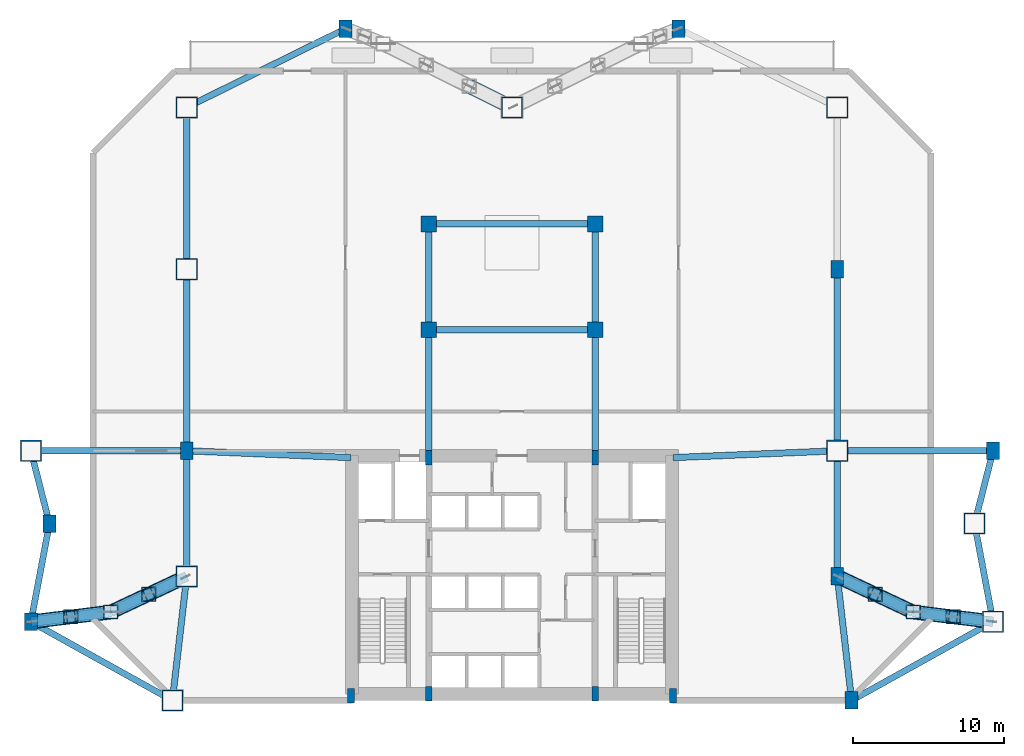
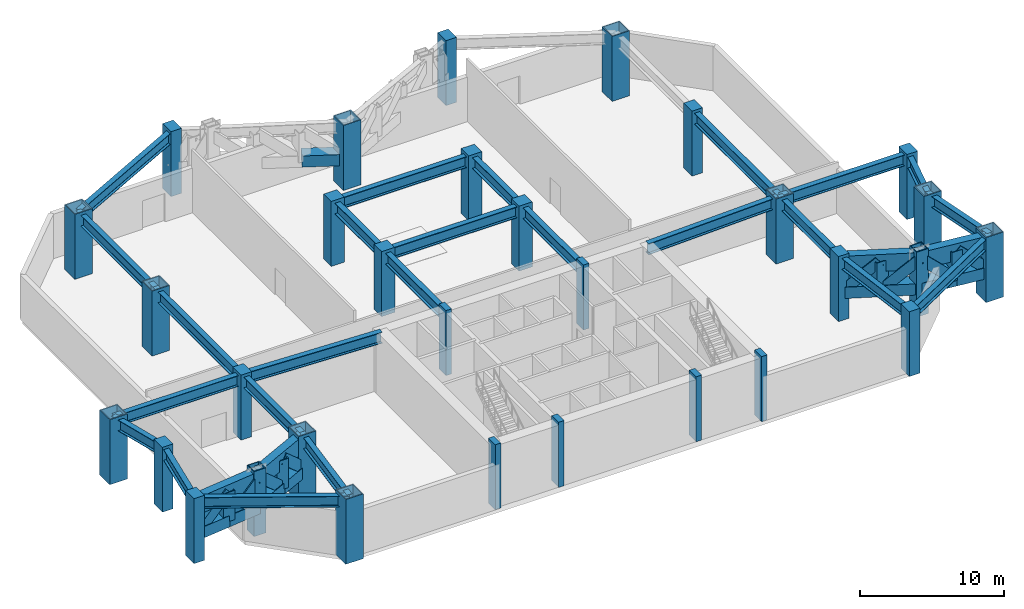
# One storey, part 1 of 9: 29 columns, 28 beams, 23 members.
"""IFC4 building model written with IfcOpenShell, lengths in metres."""

from ifc_helpers import new_model, si_unit, direction, frame, origin, origin_2d, place, context, subcontext, project, spatial, rectangle, hollow_rectangle, i_section, extrude, source, transform, mapped, material, material_profile, profile_set, type_object, type_shapes, element, save


model = new_model("IFC4")

# Units and contexts
model_context = context("Model", 3, precision=1e-05, world=origin(), true_north=direction((0.0, 1.0)))
body_context = subcontext(model_context, "Body", "Model", "MODEL_VIEW")
ifc_project = project(units=[si_unit("LENGTHUNIT", "METRE"), si_unit("AREAUNIT", "SQUARE_METRE"), si_unit("VOLUMEUNIT", "CUBIC_METRE"), si_unit("PLANEANGLEUNIT", "RADIAN"), si_unit("MASSUNIT", "GRAM", prefix="KILO")], contexts=[model_context])

# Site, building, storey
site_placement = place(None, origin())
site = spatial("IfcSite", under=ifc_project, at=site_placement, CompositionType="ELEMENT")
building_placement = place(site_placement, origin())
building = spatial("IfcBuilding", under=site, at=building_placement, Name="Varnakhor Terracotta Tower", CompositionType="ELEMENT")
storey_placement = place(building_placement, frame((0.0, 0.0, 22.0)))
storey = spatial("IfcBuildingStorey", under=building, at=storey_placement, Name="L04", CompositionType="ELEMENT", Elevation=22.0)

# Columns
ifc_material_1 = material(Name="Concrete C50/60", Category="concrete")
ifc_material_profile_1 = material_profile(ifc_material_1, rectangle(XDim=0.449951171875, YDim=0.949951171875, at=origin_2d()), Name="RC PILASTER 950x450")
ifc_profile_set_1 = profile_set([ifc_material_profile_1], Name="Concrete C50/60")
column_type_1 = type_object("IfcColumnType", Name="COL-PIL-950x450", PredefinedType="PILASTER", material=ifc_profile_set_1)
shared_shape_1 = source(origin(), body_context, "Body", "SweptSolid", [
    extrude(rectangle(XDim=0.449951171875, YDim=0.949951171875, at=origin_2d()), origin(), (0.0, 0.0, 1.0), 5.5),
])
for number, where, z_axis, x_axis, name in (
    (1, (-10.64990234375, 0.300048828125, 0.0), (0.0, 0.0, 1.0), (1.0, 0.0, 0.0), "L04 Core Pilaster CP1"),
    (2, (-5.5, 0.449951171875, 0.0), (0.0, 0.0, 1.0), (1.0, 0.0, 0.0), "L04 Core Pilaster CP2"),
    (3, (5.5, 0.449951171875, 0.0), (0.0, 0.0, 1.0), (1.0, 0.0, 0.0), "L04 Core Pilaster CP3"),
    (4, (10.64990234375, 0.300048828125, 0.0), (0.0, 0.0, 1.0), (1.0, 0.0, 0.0), "L04 Core Pilaster CP4"),
    (5, (-5.5, 16.050048828125, 0.0), (0.0, 0.0, 1.0), (1.0, 0.0, 0.0), "L04 Core Pilaster CP5"),
    (6, (5.5, 16.050048828125, 0.0), (0.0, 0.0, 1.0), (1.0, 0.0, 0.0), "L04 Core Pilaster CP6"),
):
    element("IfcColumn", number, at=place(storey_placement, frame(where, z_axis=z_axis, x_axis=x_axis)), inside=storey, type_object=column_type_1, Name=name, PredefinedType="PILASTER", context=body_context, shape_type="MappedRepresentation", body=[
        mapped(shared_shape_1, transform((0.0, 0.0, 0.0), scale=1.0)),
    ])
ifc_material_2 = material(Name="Concrete C60/75", Category="concrete")
ifc_material_profile_2 = material_profile(ifc_material_2, rectangle(XDim=1.050048828125, YDim=1.050048828125, at=origin_2d()), Name="RC 1050x1050")
ifc_profile_set_2 = profile_set([ifc_material_profile_2], Name="Concrete C60/75")
column_type_2 = type_object("IfcColumnType", Name="COL-RC-1050", PredefinedType="COLUMN", material=ifc_profile_set_2)
shared_shape_2 = source(origin(), body_context, "Body", "SweptSolid", [
    extrude(rectangle(XDim=1.050048828125, YDim=1.050048828125, at=origin_2d()), origin(), (0.0, 0.0, 1.0), 5.5),
])
type_shapes(column_type_2, [shared_shape_2])
for number, where, z_axis, x_axis, name in (
    (7, (-5.5, 24.5, 0.0), (0.0, 0.0, 1.0), (1.0, 0.0, 0.0), "L04 Interior Plumb Tower Column I1"),
    (8, (5.5, 24.5, 0.0), (0.0, 0.0, 1.0), (1.0, 0.0, 0.0), "L04 Interior Plumb Tower Column I2"),
    (9, (-5.5, 31.5, 0.0), (0.0, 0.0, 1.0), (1.0, 0.0, 0.0), "L04 Interior Plumb Tower Column I3"),
    (10, (5.5, 31.5, 0.0), (0.0, 0.0, 1.0), (1.0, 0.0, 0.0), "L04 Interior Plumb Tower Column I4"),
):
    element("IfcColumn", number, at=place(storey_placement, frame(where, z_axis=z_axis, x_axis=x_axis)), inside=storey, type_object=column_type_2, Name=name, PredefinedType="COLUMN", context=body_context, shape_type="MappedRepresentation", body=[
        mapped(shared_shape_2, transform((0.0, 0.0, 0.0), scale=1.0)),
    ])
ifc_material_3 = material(Name="Steel S460", Category="steel")
ifc_material_profile_3 = material_profile(ifc_material_3, hollow_rectangle(XDim=1.39990234375, YDim=1.39990234375, WallThickness=0.070068359375, at=origin_2d()), Name="BOX 1400x1400x70")
ifc_profile_set_3 = profile_set([ifc_material_profile_3], Name="Steel S460")
column_type_3 = type_object("IfcColumnType", Name="COL-MEGA-1400", PredefinedType="COLUMN", material=ifc_profile_set_3)
shared_shape_3 = source(origin(), body_context, "Body", "SweptSolid", [
    extrude(hollow_rectangle(XDim=1.39990234375, YDim=1.39990234375, WallThickness=0.070068359375, at=origin_2d()), origin(), (0.0, 0.0, 1.0), 5.5),
])
for number, where, z_axis, x_axis, name in (
    (11, (-21.5, 8.199951171875, 0.0), (0.0, 0.0, 1.0), (1.0, 0.0, 0.0), "L04 Podium Column PC03"),
    (12, (-31.800048828125, 16.5, 0.0), (0.0, 0.0, 1.0), (1.0, 0.0, 0.0), "L04 Podium Column PC05"),
    (13, (-21.5, 28.5, 0.0), (0.0, 0.0, 1.0), (1.0, 0.0, 0.0), "L04 Podium Column PC07"),
    (14, (-21.5, 39.199951171875, 0.0), (0.0, 0.0, 1.0), (1.0, 0.0, 0.0), "L04 Podium Column PC09"),
    (15, (0.0, 39.199951171875, 0.0), (0.0, 0.0, 1.0), (1.0, 0.0, 0.0), "L04 Podium Column PC11"),
    (16, (21.5, 39.199951171875, 0.0), (0.0, 0.0, 1.0), (1.0, 0.0, 0.0), "L04 Podium Column PC13"),
    (17, (21.5, 16.5, 0.0), (0.0, 0.0, 1.0), (1.0, 0.0, 0.0), "L04 Podium Column PC15"),
    (18, (31.800048828125, 5.199951171875, 0.0), (0.0, 0.0, 1.0), (1.0, 0.0, 0.0), "L04 Podium Column PC17"),
):
    element("IfcColumn", number, at=place(storey_placement, frame(where, z_axis=z_axis, x_axis=x_axis)), inside=storey, type_object=column_type_3, Name=name, PredefinedType="COLUMN", context=body_context, shape_type="MappedRepresentation", body=[
        mapped(shared_shape_3, transform((0.0, 0.0, 0.0), scale=1.0)),
    ])
ifc_material_profile_4 = material_profile(ifc_material_2, rectangle(XDim=0.85009765625, YDim=1.14990234375, at=origin_2d()), Name="RC 1150x850")
ifc_profile_set_4 = profile_set([ifc_material_profile_4], Name="Concrete C60/75")
column_type_4 = type_object("IfcColumnType", Name="COL-RC-1150x850", PredefinedType="COLUMN", material=ifc_profile_set_4)
shared_shape_4 = source(origin(), body_context, "Body", "SweptSolid", [
    extrude(rectangle(XDim=0.85009765625, YDim=1.14990234375, at=origin_2d()), origin(), (0.0, 0.0, 1.0), 5.5),
])
for number, where, z_axis, x_axis, name in (
    (19, (21.5, 8.199951171875, 0.0), (0.0, 0.0, 1.0), (1.0, 0.0, 0.0), "L04 Podium Column PC04"),
    (20, (31.800048828125, 16.5, 0.0), (0.0, 0.0, 1.0), (1.0, 0.0, 0.0), "L04 Podium Column PC06"),
    (21, (21.5, 28.5, 0.0), (0.0, 0.0, 1.0), (1.0, 0.0, 0.0), "L04 Podium Column PC08"),
    (22, (-11.0, 44.39990234375, 0.0), (0.0, 0.0, 1.0), (1.0, 0.0, 0.0), "L04 Podium Column PC10"),
    (23, (11.0, 44.39990234375, 0.0), (0.0, 0.0, 1.0), (1.0, 0.0, 0.0), "L04 Podium Column PC12"),
    (24, (-21.5, 16.5, 0.0), (0.0, 0.0, 1.0), (1.0, 0.0, 0.0), "L04 Podium Column PC14"),
    (25, (-31.800048828125, 5.199951171875, 0.0), (0.0, 0.0, 1.0), (1.0, 0.0, 0.0), "L04 Podium Column PC16"),
):
    element("IfcColumn", number, at=place(storey_placement, frame(where, z_axis=z_axis, x_axis=x_axis)), inside=storey, type_object=column_type_4, Name=name, PredefinedType="COLUMN", context=body_context, shape_type="MappedRepresentation", body=[
        mapped(shared_shape_4, transform((0.0, 0.0, 0.0), scale=1.0)),
    ])
shared_shape_5 = source(origin(), body_context, "Body", "SweptSolid", [
    extrude(hollow_rectangle(XDim=1.39990234375, YDim=1.39990234375, WallThickness=0.070068359375, at=origin_2d()), origin(), (0.0, 0.0, 1.0), 5.47607421875),
])
for number, where, z_axis, x_axis, name in (
    (26, (-22.446044921875, 0.0, 0.0), (0.0, 0.0, 1.0), (1.0, 0.0, 0.0), "L04 Podium Column PC01"),
    (27, (30.572998046875, 11.68701171875, 0.0), (0.0, 0.0, 1.0), (1.0, 0.0, 0.0), "L04 Podium Column PC23"),
):
    element("IfcColumn", number, at=place(storey_placement, frame(where, z_axis=z_axis, x_axis=x_axis)), inside=storey, type_object=column_type_3, Name=name, PredefinedType="COLUMN", context=body_context, shape_type="MappedRepresentation", body=[
        mapped(shared_shape_5, transform((0.0, 0.0, 0.0), scale=1.0)),
    ])
shared_shape_6 = source(origin(), body_context, "Body", "SweptSolid", [
    extrude(rectangle(XDim=0.85009765625, YDim=1.14990234375, at=origin_2d()), origin(), (0.0, 0.0, 1.0), 5.47607421875),
])
for number, where, z_axis, x_axis, name in (
    (28, (22.446044921875, 0.0, 0.0), (0.0, 0.0, 1.0), (1.0, 0.0, 0.0), "L04 Podium Column PC02"),
    (29, (-30.572998046875, 11.68701171875, 0.0), (0.0, 0.0, 1.0), (1.0, 0.0, 0.0), "L04 Podium Column PC22"),
):
    element("IfcColumn", number, at=place(storey_placement, frame(where, z_axis=z_axis, x_axis=x_axis)), inside=storey, type_object=column_type_4, Name=name, PredefinedType="COLUMN", context=body_context, shape_type="MappedRepresentation", body=[
        mapped(shared_shape_6, transform((0.0, 0.0, 0.0), scale=1.0)),
    ])

# Beams
ifc_material_4 = material(Name="Steel S355", Category="steel")
ifc_material_profile_5 = material_profile(ifc_material_4, i_section(OverallWidth=0.41796875, OverallDepth=0.927001953125, WebThickness=0.01904296875, FlangeThickness=0.031982421875, FilletRadius=0.01806640625, at=origin_2d()), Name="W36X231")
ifc_profile_set_5 = profile_set([ifc_material_profile_5], Name="Steel S355")
beam_type_1 = type_object("IfcBeamType", Name="BM-W36X231", PredefinedType="BEAM", material=ifc_profile_set_5)
shared_shape_7 = source(origin(), body_context, "Body", "SweptSolid", [
    extrude(i_section(OverallWidth=0.41796875, OverallDepth=0.927001953125, WebThickness=0.01904296875, FlangeThickness=0.031982421875, FilletRadius=0.01806640625, at=origin_2d()), origin(), (0.0, 0.0, 1.0), 8.25439453125),
])
type_shapes(beam_type_1, [shared_shape_7])
for number, where, z_axis, x_axis, name in (
    (30, (-22.446044921875, 0.0, 4.78662109375), (0.114611758944, 0.993410360683, 0.0), (-0.993410360683, 0.114611758944, 0.0), "L04 Podium Ring Girder 1"),
    (31, (21.5, 8.199951171875, 4.78662109375), (0.114611758944, -0.993410360683, 0.0), (0.993410360683, 0.114611758944, 0.0), "L04 Podium Ring Girder 12"),
):
    element("IfcBeam", number, at=place(storey_placement, frame(where, z_axis=z_axis, x_axis=x_axis)), inside=storey, type_object=beam_type_1, Name=name, PredefinedType="BEAM", context=body_context, shape_type="MappedRepresentation", body=[
        mapped(shared_shape_7, transform((0.0, 0.0, 0.0), scale=1.0)),
    ])
shared_shape_8 = source(origin(), body_context, "Body", "SweptSolid", [
    extrude(i_section(OverallWidth=0.41796875, OverallDepth=0.927001953125, WebThickness=0.01904296875, FlangeThickness=0.031982421875, FilletRadius=0.01806640625, at=origin_2d()), origin(), (0.0, 0.0, 1.0), 8.300048828125),
])
for number, where, z_axis, x_axis, name in (
    (32, (-21.5, 8.199951171875, 4.78662109375), (0.0, 1.0, 0.0), (-1.0, 0.0, 0.0), "L04 Podium Ring Girder 2"),
    (33, (21.5, 16.5, 4.78662109375), (0.0, -1.0, 0.0), (1.0, 0.0, 0.0), "L04 Podium Ring Girder 11"),
):
    element("IfcBeam", number, at=place(storey_placement, frame(where, z_axis=z_axis, x_axis=x_axis)), inside=storey, type_object=beam_type_1, Name=name, PredefinedType="BEAM", context=body_context, shape_type="MappedRepresentation", body=[
        mapped(shared_shape_8, transform((0.0, 0.0, 0.0), scale=1.0)),
    ])
shared_shape_9 = source(origin(), body_context, "Body", "SweptSolid", [
    extrude(i_section(OverallWidth=0.41796875, OverallDepth=0.927001953125, WebThickness=0.01904296875, FlangeThickness=0.031982421875, FilletRadius=0.01806640625, at=origin_2d()), origin(), (0.0, 0.0, 1.0), 12.0),
])
for number, where, z_axis, x_axis, name in (
    (34, (-21.5, 16.5, 4.78662109375), (0.0, 1.0, 0.0), (-1.0, 0.0, 0.0), "L04 Podium Ring Girder 3"),
    (35, (21.5, 28.5, 4.78662109375), (0.0, -1.0, 0.0), (1.0, 0.0, 0.0), "L04 Podium Ring Girder 10"),
):
    element("IfcBeam", number, at=place(storey_placement, frame(where, z_axis=z_axis, x_axis=x_axis)), inside=storey, type_object=beam_type_1, Name=name, PredefinedType="BEAM", context=body_context, shape_type="MappedRepresentation", body=[
        mapped(shared_shape_9, transform((0.0, 0.0, 0.0), scale=1.0)),
    ])
shared_shape_10 = source(origin(), body_context, "Body", "SweptSolid", [
    extrude(i_section(OverallWidth=0.41796875, OverallDepth=0.927001953125, WebThickness=0.01904296875, FlangeThickness=0.031982421875, FilletRadius=0.01806640625, at=origin_2d()), origin(), (0.0, 0.0, 1.0), 10.699951171875),
])
beam_1_placement = place(storey_placement, frame((-21.5, 28.5, 4.78662109375), z_axis=(0.0, 1.0, 0.0), x_axis=(-1.0, 0.0, 0.0)))
element("IfcBeam", 36, at=beam_1_placement, inside=storey, type_object=beam_type_1, Name="L04 Podium Ring Girder 4", PredefinedType="BEAM", context=body_context, shape_type="MappedRepresentation", body=[
    mapped(shared_shape_10, transform((0.0, 0.0, 0.0), scale=1.0)),
])
shared_shape_11 = source(origin(), body_context, "Body", "SweptSolid", [
    extrude(i_section(OverallWidth=0.41796875, OverallDepth=0.927001953125, WebThickness=0.01904296875, FlangeThickness=0.031982421875, FilletRadius=0.01806640625, at=origin_2d()), origin(), (0.0, 0.0, 1.0), 10.7021484375),
])
for number, where, z_axis, x_axis, name in (
    (37, (-22.446044921875, 0.0, 4.78662109375), (-0.874027042936, 0.485877276909, 0.0), (-0.485877276909, -0.874027042936, 0.0), "L04 Podium Wing Girder OW1"),
    (38, (22.446044921875, 0.0, 4.78662109375), (0.874027042936, 0.485877276909, 0.0), (-0.485877276909, 0.874027042936, 0.0), "L04 Podium Wing Girder OE1"),
):
    element("IfcBeam", number, at=place(storey_placement, frame(where, z_axis=z_axis, x_axis=x_axis)), inside=storey, type_object=beam_type_1, Name=name, PredefinedType="BEAM", context=body_context, shape_type="MappedRepresentation", body=[
        mapped(shared_shape_11, transform((0.0, 0.0, 0.0), scale=1.0)),
    ])
shared_shape_12 = source(origin(), body_context, "Body", "SweptSolid", [
    extrude(i_section(OverallWidth=0.41796875, OverallDepth=0.927001953125, WebThickness=0.01904296875, FlangeThickness=0.031982421875, FilletRadius=0.01806640625, at=origin_2d()), origin(), (0.0, 0.0, 1.0), 6.60205078125),
])
for number, where, z_axis, x_axis, name in (
    (39, (-31.800048828125, 5.199951171875, 4.78662109375), (0.185857896361, 0.982576634345, 0.0), (-0.982576634345, 0.185857896361, 0.0), "L04 Podium Wing Girder OW2A"),
    (40, (31.800048828125, 5.199951171875, 4.78662109375), (-0.185857896361, 0.982576634345, 0.0), (-0.982576634345, -0.185857896361, 0.0), "L04 Podium Wing Girder OE2A"),
):
    element("IfcBeam", number, at=place(storey_placement, frame(where, z_axis=z_axis, x_axis=x_axis)), inside=storey, type_object=beam_type_1, Name=name, PredefinedType="BEAM", context=body_context, shape_type="MappedRepresentation", body=[
        mapped(shared_shape_12, transform((0.0, 0.0, 0.0), scale=1.0)),
    ])
shared_shape_13 = source(origin(), body_context, "Body", "SweptSolid", [
    extrude(i_section(OverallWidth=0.41796875, OverallDepth=0.927001953125, WebThickness=0.01904296875, FlangeThickness=0.031982421875, FilletRadius=0.01806640625, at=origin_2d()), origin(), (0.0, 0.0, 1.0), 4.967041015625),
])
for number, where, z_axis, x_axis, name in (
    (41, (-30.572998046875, 11.68701171875, 4.78662109375), (-0.247043524216, 0.969004384481, 0.0), (-0.969004384481, -0.247043524216, 0.0), "L04 Podium Wing Girder OW2B"),
    (42, (30.572998046875, 11.68701171875, 4.78662109375), (0.247043524216, 0.969004384481, 0.0), (-0.969004384481, 0.247043524216, 0.0), "L04 Podium Wing Girder OE2B"),
):
    element("IfcBeam", number, at=place(storey_placement, frame(where, z_axis=z_axis, x_axis=x_axis)), inside=storey, type_object=beam_type_1, Name=name, PredefinedType="BEAM", context=body_context, shape_type="MappedRepresentation", body=[
        mapped(shared_shape_13, transform((0.0, 0.0, 0.0), scale=1.0)),
    ])
shared_shape_14 = source(origin(), body_context, "Body", "SweptSolid", [
    extrude(i_section(OverallWidth=0.41796875, OverallDepth=0.927001953125, WebThickness=0.01904296875, FlangeThickness=0.031982421875, FilletRadius=0.01806640625, at=origin_2d()), origin(), (0.0, 0.0, 1.0), 10.300048828125),
])
for number, where, z_axis, x_axis, name in (
    (43, (-21.5, 16.5, 4.78662109375), (-1.0, 0.0, 0.0), (0.0, -1.0, 0.0), "L04 Podium Wing Girder OW4"),
    (44, (21.5, 16.5, 4.78662109375), (1.0, 0.0, 0.0), (0.0, 1.0, 0.0), "L04 Podium Wing Girder OE4"),
):
    element("IfcBeam", number, at=place(storey_placement, frame(where, z_axis=z_axis, x_axis=x_axis)), inside=storey, type_object=beam_type_1, Name=name, PredefinedType="BEAM", context=body_context, shape_type="MappedRepresentation", body=[
        mapped(shared_shape_14, transform((0.0, 0.0, 0.0), scale=1.0)),
    ])
shared_shape_15 = source(origin(), body_context, "Body", "SweptSolid", [
    extrude(i_section(OverallWidth=0.41796875, OverallDepth=0.927001953125, WebThickness=0.01904296875, FlangeThickness=0.031982421875, FilletRadius=0.01806640625, at=origin_2d()), origin(), (0.0, 0.0, 1.0), 11.717041015625),
])
beam_2_placement = place(storey_placement, frame((-21.5, 39.199951171875, 4.78662109375), z_axis=(0.896129243097, 0.443793172171, 0.0), x_axis=(-0.443793172171, 0.896129243097, 0.0)))
element("IfcBeam", 45, at=beam_2_placement, inside=storey, type_object=beam_type_1, Name="L04 Podium Ring Girder 5", PredefinedType="BEAM", context=body_context, shape_type="MappedRepresentation", body=[
    mapped(shared_shape_15, transform((0.0, 0.0, 0.0), scale=1.0)),
])
ifc_material_profile_6 = material_profile(ifc_material_3, i_section(OverallWidth=0.423095703125, OverallDepth=0.93896484375, WebThickness=0.02392578125, FlangeThickness=0.04296875, FilletRadius=0.01806640625, at=origin_2d()), Name="W36X302")
ifc_profile_set_6 = profile_set([ifc_material_profile_6], Name="Steel S460")
beam_type_2 = type_object("IfcBeamType", Name="BM-W36X302", PredefinedType="BEAM", material=ifc_profile_set_6)
shared_shape_16 = source(origin(), body_context, "Body", "SweptSolid", [
    extrude(i_section(OverallWidth=0.423095703125, OverallDepth=0.93896484375, WebThickness=0.02392578125, FlangeThickness=0.04296875, FilletRadius=0.01806640625, at=origin_2d()), origin(), (0.0, 0.0, 1.0), 11.0),
])
type_shapes(beam_type_2, [shared_shape_16])
for number, where, z_axis, x_axis, name in (
    (46, (-5.5, 24.5, 4.780517578125), (1.0, 0.0, 0.0), (0.0, 1.0, 0.0), "L04 Transfer Diaphragm Tie 1"),
    (47, (-5.5, 31.5, 4.780517578125), (1.0, 0.0, 0.0), (0.0, 1.0, 0.0), "L04 Transfer Diaphragm Tie 2"),
):
    element("IfcBeam", number, at=place(storey_placement, frame(where, z_axis=z_axis, x_axis=x_axis)), inside=storey, type_object=beam_type_2, Name=name, PredefinedType="BEAM", context=body_context, shape_type="MappedRepresentation", body=[
        mapped(shared_shape_16, transform((0.0, 0.0, 0.0), scale=1.0)),
    ])
shared_shape_17 = source(origin(), body_context, "Body", "SweptSolid", [
    extrude(i_section(OverallWidth=0.423095703125, OverallDepth=0.93896484375, WebThickness=0.02392578125, FlangeThickness=0.04296875, FilletRadius=0.01806640625, at=origin_2d()), origin(), (0.0, 0.0, 1.0), 10.859375),
])
for number, where, z_axis, x_axis, name in (
    (48, (-21.5, 16.5, 4.780517578125), (0.99914123612, -0.041434168088, 0.0), (0.041434168088, 0.99914123612, 0.0), "L04 Transfer Diaphragm Tie 3"),
    (49, (10.64990234375, 16.050048828125, 4.780517578125), (0.99914123612, 0.041434168088, 0.0), (-0.041434168088, 0.99914123612, 0.0), "L04 Transfer Diaphragm Tie 4"),
):
    element("IfcBeam", number, at=place(storey_placement, frame(where, z_axis=z_axis, x_axis=x_axis)), inside=storey, type_object=beam_type_2, Name=name, PredefinedType="BEAM", context=body_context, shape_type="MappedRepresentation", body=[
        mapped(shared_shape_17, transform((0.0, 0.0, 0.0), scale=1.0)),
    ])
shared_shape_18 = source(origin(), body_context, "Body", "SweptSolid", [
    extrude(i_section(OverallWidth=0.423095703125, OverallDepth=0.93896484375, WebThickness=0.02392578125, FlangeThickness=0.04296875, FilletRadius=0.01806640625, at=origin_2d()), origin(), (0.0, 0.0, 1.0), 8.449951171875),
])
for number, where, z_axis, x_axis, name in (
    (50, (-5.5, 16.050048828125, 4.780517578125), (0.0, 1.0, 0.0), (-1.0, 0.0, 0.0), "L04 Transfer Diaphragm Tie 5"),
    (51, (5.5, 16.050048828125, 4.780517578125), (0.0, 1.0, 0.0), (-1.0, 0.0, 0.0), "L04 Transfer Diaphragm Tie 6"),
):
    element("IfcBeam", number, at=place(storey_placement, frame(where, z_axis=z_axis, x_axis=x_axis)), inside=storey, type_object=beam_type_2, Name=name, PredefinedType="BEAM", context=body_context, shape_type="MappedRepresentation", body=[
        mapped(shared_shape_18, transform((0.0, 0.0, 0.0), scale=1.0)),
    ])
shared_shape_19 = source(origin(), body_context, "Body", "SweptSolid", [
    extrude(i_section(OverallWidth=0.423095703125, OverallDepth=0.93896484375, WebThickness=0.02392578125, FlangeThickness=0.04296875, FilletRadius=0.01806640625, at=origin_2d()), origin(), (0.0, 0.0, 1.0), 7.0),
])
for number, where, z_axis, x_axis, name in (
    (52, (-5.5, 24.5, 4.780517578125), (0.0, 1.0, 0.0), (-1.0, 0.0, 0.0), "L04 Transfer Diaphragm Tie 7"),
    (53, (5.5, 24.5, 4.780517578125), (0.0, 1.0, 0.0), (-1.0, 0.0, 0.0), "L04 Transfer Diaphragm Tie 8"),
):
    element("IfcBeam", number, at=place(storey_placement, frame(where, z_axis=z_axis, x_axis=x_axis)), inside=storey, type_object=beam_type_2, Name=name, PredefinedType="BEAM", context=body_context, shape_type="MappedRepresentation", body=[
        mapped(shared_shape_19, transform((0.0, 0.0, 0.0), scale=1.0)),
    ])

# Members
ifc_material_profile_7 = material_profile(ifc_material_3, hollow_rectangle(XDim=0.949951171875, YDim=0.949951171875, WallThickness=0.06494140625, at=origin_2d()), Name="HSS950X950X65")
ifc_profile_set_7 = profile_set([ifc_material_profile_7], Name="Steel S460")
member_type_1 = type_object("IfcMemberType", Name="MBR-XFER-CHORD-950", PredefinedType="CHORD", material=ifc_profile_set_7)
shared_shape_20 = source(origin(), body_context, "Body", "SweptSolid", [
    extrude(hollow_rectangle(XDim=0.949951171875, YDim=0.949951171875, WallThickness=0.06494140625, at=origin_2d()), origin(), (0.0, 0.0, 1.0), 5.5),
])
type_shapes(member_type_1, [shared_shape_20])
for number, where, z_axis, x_axis, name in (
    (54, (26.509521484375, 5.84326171875, 0.0), (0.0, 0.0, 1.0), (1.0, 0.0, 0.0), "L04 Transfer Truss Post M3"),
    (55, (-26.509521484375, 5.84326171875, 0.0), (0.0, 0.0, 1.0), (1.0, 0.0, 0.0), "L04 Transfer Truss Post M8"),
):
    element("IfcMember", number, at=place(storey_placement, frame(where, z_axis=z_axis, x_axis=x_axis)), inside=storey, type_object=member_type_1, Name=name, PredefinedType="CHORD", context=body_context, shape_type="MappedRepresentation", body=[
        mapped(shared_shape_20, transform((0.0, 0.0, 0.0), scale=1.0)),
    ])

# Beams
ifc_material_profile_8 = material_profile(ifc_material_3, hollow_rectangle(XDim=0.64990234375, YDim=1.43994140625, WallThickness=0.044921875, at=origin_2d()), Name="BOX1440X650X45")
ifc_profile_set_8 = profile_set([ifc_material_profile_8], Name="Steel S460")
beam_type_3 = type_object("IfcBeamType", Name="BM-BOX-1440X650", PredefinedType="BEAM", material=ifc_profile_set_8)
shared_shape_21 = source(origin(), body_context, "Body", "SweptSolid", [
    extrude(hollow_rectangle(XDim=0.64990234375, YDim=1.43994140625, WallThickness=0.044921875, at=origin_2d()), origin(), (0.0, 0.0, 1.0), 5.5361328125),
])
for number, where, z_axis, x_axis, name in (
    (56, (21.5, 8.199951171875, 4.530029296875), (0.904869665796, -0.425688721864, 0.0), (0.425688721864, 0.904869665796, 0.0), "L04 Box Transfer Girder M3-1"),
    (57, (-21.5, 8.199951171875, 4.530029296875), (-0.904869665796, -0.425688721864, 0.0), (0.425688721864, -0.904869665796, 0.0), "L04 Box Transfer Girder M8-1"),
):
    element("IfcBeam", number, at=place(storey_placement, frame(where, z_axis=z_axis, x_axis=x_axis)), inside=storey, type_object=beam_type_3, Name=name, PredefinedType="BEAM", context=body_context, shape_type="MappedRepresentation", body=[
        mapped(shared_shape_21, transform((0.0, 0.0, 0.0), scale=1.0)),
    ])

# Members
shared_shape_22 = source(origin(), body_context, "Body", "SweptSolid", [
    extrude(hollow_rectangle(XDim=0.949951171875, YDim=0.949951171875, WallThickness=0.06494140625, at=origin_2d()), origin(), (0.0, 0.0, 1.0), 2.768310546875),
])
for number, where, z_axis, x_axis, name in (
    (58, (21.5, 8.199951171875, 2.25), (0.9048606707, -0.425707841859, 0.0), (0.425707841859, 0.9048606707, 0.0), "L04 Transfer Bottom Chord M3-1P1"),
    (59, (-21.5, 8.199951171875, 2.25), (-0.9048606707, -0.425707841859, 0.0), (0.425707841859, -0.9048606707, 0.0), "L04 Transfer Bottom Chord M8-1P1"),
):
    element("IfcMember", number, at=place(storey_placement, frame(where, z_axis=z_axis, x_axis=x_axis)), inside=storey, type_object=member_type_1, Name=name, PredefinedType="CHORD", context=body_context, shape_type="MappedRepresentation", body=[
        mapped(shared_shape_22, transform((0.0, 0.0, 0.0), scale=1.0)),
    ])
ifc_material_profile_9 = material_profile(ifc_material_3, hollow_rectangle(XDim=0.85009765625, YDim=0.85009765625, WallThickness=0.054931640625, at=origin_2d()), Name="HSS850X850X55")
ifc_profile_set_9 = profile_set([ifc_material_profile_9], Name="Steel S460")
member_type_2 = type_object("IfcMemberType", Name="MBR-XFER-DIAG-850", PredefinedType="BRACE", material=ifc_profile_set_9)
shared_shape_23 = source(origin(), body_context, "Body", "SweptSolid", [
    extrude(hollow_rectangle(XDim=0.85009765625, YDim=0.85009765625, WallThickness=0.054931640625, at=origin_2d()), origin(), (0.0, 0.0, 1.0), 3.716552734375),
])
type_shapes(member_type_2, [shared_shape_23])
for number, where, z_axis, x_axis, name in (
    (60, (21.5, 8.199951171875, 2.25), (0.673961601277, -0.317077256273, 0.667261398223), (0.425707841859, 0.9048606707, 0.0), "L04 Transfer Diagonal M3-1P1"),
    (61, (-21.5, 8.199951171875, 2.25), (-0.673961601277, -0.317077256273, 0.667261398223), (0.425707841859, -0.9048606707, 0.0), "L04 Transfer Diagonal M8-1P1"),
):
    element("IfcMember", number, at=place(storey_placement, frame(where, z_axis=z_axis, x_axis=x_axis)), inside=storey, type_object=member_type_2, Name=name, PredefinedType="BRACE", context=body_context, shape_type="MappedRepresentation", body=[
        mapped(shared_shape_23, transform((0.0, 0.0, 0.0), scale=1.0)),
    ])
shared_shape_24 = source(origin(), body_context, "Body", "SweptSolid", [
    extrude(hollow_rectangle(XDim=0.949951171875, YDim=0.949951171875, WallThickness=0.06494140625, at=origin_2d()), origin(), (0.0, 0.0, 1.0), 2.767822265625),
])
for number, where, z_axis, x_axis, name in (
    (62, (24.0048828125, 7.021484375, 2.25), (0.904878661543, -0.425669599435, 0.0), (0.425669599435, 0.904878661543, 0.0), "L04 Transfer Bottom Chord M3-1P2"),
    (63, (-24.0048828125, 7.021484375, 2.25), (-0.904878661543, -0.425669599435, 0.0), (0.425669599435, -0.904878661543, 0.0), "L04 Transfer Bottom Chord M8-1P2"),
):
    element("IfcMember", number, at=place(storey_placement, frame(where, z_axis=z_axis, x_axis=x_axis)), inside=storey, type_object=member_type_1, Name=name, PredefinedType="CHORD", context=body_context, shape_type="MappedRepresentation", body=[
        mapped(shared_shape_24, transform((0.0, 0.0, 0.0), scale=1.0)),
    ])
shared_shape_25 = source(origin(), body_context, "Body", "SweptSolid", [
    extrude(hollow_rectangle(XDim=0.949951171875, YDim=0.949951171875, WallThickness=0.06494140625, at=origin_2d()), origin(), (0.0, 0.0, 1.0), 2.47998046875),
])
for number, where, z_axis, x_axis, name in (
    (64, (24.0048828125, 7.021484375, 2.25), (0.0, 0.0, 1.0), (1.0, 0.0, 0.0), "L04 Transfer Panel Post M3-1P1"),
    (65, (29.15478515625, 5.521728515625, 2.25), (0.0, 0.0, 1.0), (1.0, 0.0, 0.0), "L04 Transfer Panel Post M3-2P1"),
    (66, (-24.0048828125, 7.021484375, 2.25), (0.0, 0.0, 1.0), (1.0, 0.0, 0.0), "L04 Transfer Panel Post M8-1P1"),
    (67, (-29.15478515625, 5.521728515625, 2.25), (0.0, 0.0, 1.0), (1.0, 0.0, 0.0), "L04 Transfer Panel Post M8-2P1"),
):
    element("IfcMember", number, at=place(storey_placement, frame(where, z_axis=z_axis, x_axis=x_axis)), inside=storey, type_object=member_type_1, Name=name, PredefinedType="CHORD", context=body_context, shape_type="MappedRepresentation", body=[
        mapped(shared_shape_25, transform((0.0, 0.0, 0.0), scale=1.0)),
    ])
shared_shape_26 = source(origin(), body_context, "Body", "SweptSolid", [
    extrude(hollow_rectangle(XDim=0.85009765625, YDim=0.85009765625, WallThickness=0.054931640625, at=origin_2d()), origin(), (0.0, 0.0, 1.0), 3.71630859375),
])
for number, where, z_axis, x_axis, name in (
    (68, (24.0048828125, 7.021484375, 2.25), (0.673939784758, -0.317032205989, 0.667304838051), (0.425669599435, 0.904878661543, 0.0), "L04 Transfer Diagonal M3-1P2"),
    (69, (-24.0048828125, 7.021484375, 2.25), (-0.673939784758, -0.317032205989, 0.667304838051), (0.425669599435, -0.904878661543, 0.0), "L04 Transfer Diagonal M8-1P2"),
):
    element("IfcMember", number, at=place(storey_placement, frame(where, z_axis=z_axis, x_axis=x_axis)), inside=storey, type_object=member_type_2, Name=name, PredefinedType="BRACE", context=body_context, shape_type="MappedRepresentation", body=[
        mapped(shared_shape_26, transform((0.0, 0.0, 0.0), scale=1.0)),
    ])

# Beams
shared_shape_27 = source(origin(), body_context, "Body", "SweptSolid", [
    extrude(hollow_rectangle(XDim=0.64990234375, YDim=1.43994140625, WallThickness=0.044921875, at=origin_2d()), origin(), (0.0, 0.0, 1.0), 5.32958984375),
])
for number, where, z_axis, x_axis, name in (
    (70, (31.800048828125, 5.199951171875, 4.530029296875), (-0.992688108702, 0.120707575747, 0.0), (-0.120707575747, -0.992688108702, 0.0), "L04 Box Transfer Girder M3-2"),
    (71, (-31.800048828125, 5.199951171875, 4.530029296875), (0.992688108702, 0.120707575747, 0.0), (-0.120707575747, 0.992688108702, 0.0), "L04 Box Transfer Girder M8-2"),
):
    element("IfcBeam", number, at=place(storey_placement, frame(where, z_axis=z_axis, x_axis=x_axis)), inside=storey, type_object=beam_type_3, Name=name, PredefinedType="BEAM", context=body_context, shape_type="MappedRepresentation", body=[
        mapped(shared_shape_27, transform((0.0, 0.0, 0.0), scale=1.0)),
    ])

# Members
shared_shape_28 = source(origin(), body_context, "Body", "SweptSolid", [
    extrude(hollow_rectangle(XDim=0.949951171875, YDim=0.949951171875, WallThickness=0.06494140625, at=origin_2d()), origin(), (0.0, 0.0, 1.0), 2.664794921875),
])
for number, where, z_axis, x_axis, name in (
    (72, (31.800048828125, 5.199951171875, 2.25), (-0.992682618604, 0.120752717242, 0.0), (-0.120752717242, -0.992682618604, 0.0), "L04 Transfer Bottom Chord M3-2P1"),
    (73, (29.15478515625, 5.521728515625, 2.25), (-0.992693596807, 0.120662433502, 0.0), (-0.120662433502, -0.992693596807, 0.0), "L04 Transfer Bottom Chord M3-2P2"),
    (74, (-31.800048828125, 5.199951171875, 2.25), (0.992682618604, 0.120752717242, 0.0), (-0.120752717242, 0.992682618604, 0.0), "L04 Transfer Bottom Chord M8-2P1"),
    (75, (-29.15478515625, 5.521728515625, 2.25), (0.992693596807, 0.120662433502, 0.0), (-0.120662433502, 0.992693596807, 0.0), "L04 Transfer Bottom Chord M8-2P2"),
):
    element("IfcMember", number, at=place(storey_placement, frame(where, z_axis=z_axis, x_axis=x_axis)), inside=storey, type_object=member_type_1, Name=name, PredefinedType="CHORD", context=body_context, shape_type="MappedRepresentation", body=[
        mapped(shared_shape_28, transform((0.0, 0.0, 0.0), scale=1.0)),
    ])
shared_shape_29 = source(origin(), body_context, "Body", "SweptSolid", [
    extrude(hollow_rectangle(XDim=0.85009765625, YDim=0.85009765625, WallThickness=0.054931640625, at=origin_2d()), origin(), (0.0, 0.0, 1.0), 3.64013671875),
])
for number, where, z_axis, x_axis, name in (
    (76, (31.800048828125, 5.199951171875, 2.25), (-0.726675168143, 0.088394819715, 0.68127054527), (-0.120752717242, -0.992682618604, 0.0), "L04 Transfer Diagonal M3-2P1"),
    (77, (29.15478515625, 5.521728515625, 2.25), (-0.726679474575, 0.088328275774, 0.681274582624), (-0.120662433502, -0.992693596807, 0.0), "L04 Transfer Diagonal M3-2P2"),
    (78, (-31.800048828125, 5.199951171875, 2.25), (0.726675168143, 0.088394819715, 0.68127054527), (-0.120752717242, 0.992682618604, 0.0), "L04 Transfer Diagonal M8-2P1"),
    (79, (-29.15478515625, 5.521728515625, 2.25), (0.726679474575, 0.088328275774, 0.681274582624), (-0.120662433502, 0.992693596807, 0.0), "L04 Transfer Diagonal M8-2P2"),
):
    element("IfcMember", number, at=place(storey_placement, frame(where, z_axis=z_axis, x_axis=x_axis)), inside=storey, type_object=member_type_2, Name=name, PredefinedType="BRACE", context=body_context, shape_type="MappedRepresentation", body=[
        mapped(shared_shape_29, transform((0.0, 0.0, 0.0), scale=1.0)),
    ])
shared_shape_30 = source(origin(), body_context, "Body", "SweptSolid", [
    extrude(hollow_rectangle(XDim=0.949951171875, YDim=0.949951171875, WallThickness=0.06494140625, at=origin_2d()), origin(), (0.0, 0.0, 1.0), 3.16552734375),
])
member_placement = place(storey_placement, frame((0.0, 39.199951171875, 2.25), z_axis=(-0.896515183414, 0.443013008735, 0.0), x_axis=(-0.443013008735, -0.896515183414, 0.0)))
element("IfcMember", 80, at=member_placement, inside=storey, type_object=member_type_1, Name="L04 Transfer Bottom Chord M6-2P1", PredefinedType="CHORD", context=body_context, shape_type="MappedRepresentation", body=[
    mapped(shared_shape_30, transform((0.0, 0.0, 0.0), scale=1.0)),
])

save(model, "model.ifc")
